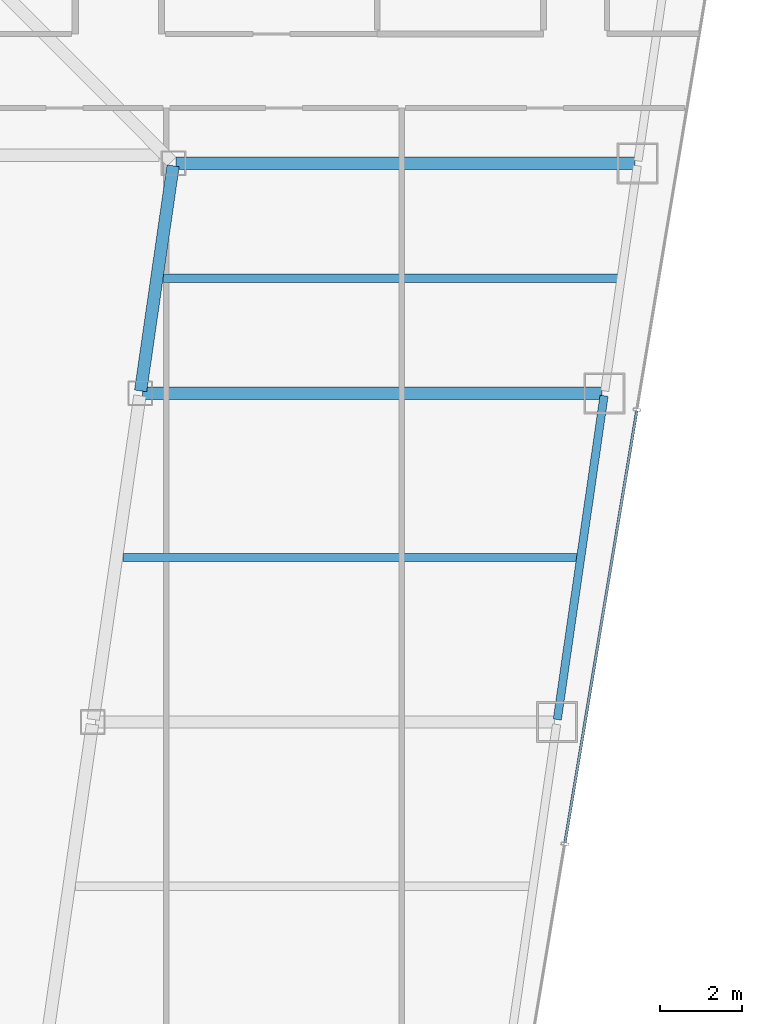
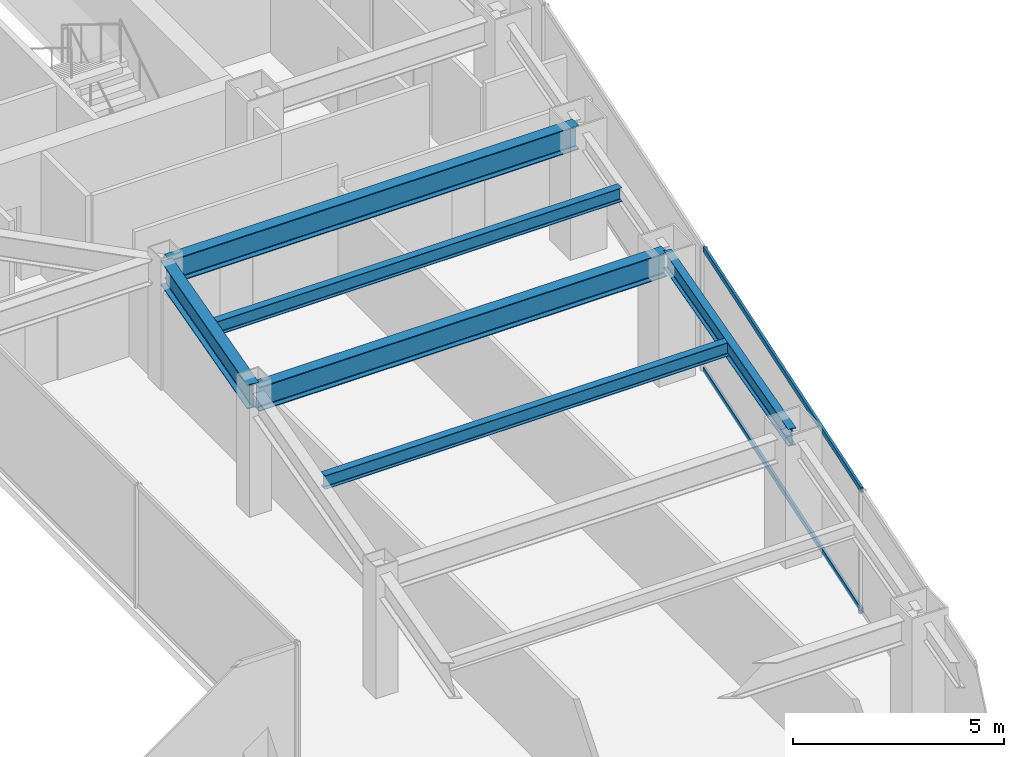
# One storey, part 18 of 38: 6 beams, 2 members, 1 element without a shape of its own.
"""IFC4 building model written with IfcOpenShell, lengths in metres."""

from ifc_helpers import new_model, si_unit, direction, frame, origin, origin_2d, place, context, subcontext, project, spatial, hollow_rectangle, i_section, extrude, material, material_profile, profile_set, type_object, element, aggregate, save


model = new_model("IFC4")

# Units and contexts
model_context = context("Model", 3, precision=1e-05, world=origin(), true_north=direction((0.0, 1.0)))
body_context = subcontext(model_context, "Body", "Model", "MODEL_VIEW")
ifc_project = project(units=[si_unit("LENGTHUNIT", "METRE"), si_unit("AREAUNIT", "SQUARE_METRE"), si_unit("VOLUMEUNIT", "CUBIC_METRE"), si_unit("PLANEANGLEUNIT", "RADIAN"), si_unit("MASSUNIT", "GRAM", prefix="KILO")], contexts=[model_context])

# Site, building, storey
site_placement = place(None, origin())
site = spatial("IfcSite", under=ifc_project, at=site_placement, CompositionType="ELEMENT")
building_placement = place(site_placement, origin())
building = spatial("IfcBuilding", under=site, at=building_placement, Name="Saevonmaru Cultural Tower", CompositionType="ELEMENT")
storey_placement = place(building_placement, frame((0.0, 0.0, 137.199951171875)))
storey = spatial("IfcBuildingStorey", under=building, at=storey_placement, Name="L29", CompositionType="ELEMENT", Elevation=137.199951171875)

# Beams
ifc_material_1 = material(Name="Steel SM355", Category="steel")
ifc_material_profile_1 = material_profile(ifc_material_1, i_section(OverallWidth=0.300048828125, OverallDepth=0.699951171875, WebThickness=0.012939453125, FlangeThickness=0.02392578125, FilletRadius=0.02587890625, at=origin_2d()), Name="H-700x300x13x24")
ifc_profile_set_1 = profile_set([ifc_material_profile_1], Name="Steel SM355")
beam_type_1 = type_object("IfcBeamType", Name="BM-G-H700", PredefinedType="BEAM", material=ifc_profile_set_1)
beam_1_placement = place(storey_placement, frame((40.3916015625, 32.059326171875, 3.199951171875), z_axis=(0.142964121327, 0.989727871697, 0.0), x_axis=(-0.989727871697, 0.142964121327, 0.0)))
element("IfcBeam", 1, at=beam_1_placement, inside=storey, type_object=beam_type_1, Name="L29 East Atrium Girder 4", PredefinedType="BEAM", context=body_context, shape_type="SweptSolid", body=[
    extrude(i_section(OverallWidth=0.300048828125, OverallDepth=0.699951171875, WebThickness=0.012939453125, FlangeThickness=0.02392578125, FilletRadius=0.02587890625, at=origin_2d()), origin(), (0.0, 0.0, 1.0), 5.5380859375),
])
for number, where, z_axis, x_axis, name in (
    (2, (40.443115234375, 32.0, 3.199951171875), (1.0, 0.0, 0.0), (0.0, 1.0, 0.0), "L29 East Wing Transverse Girder 4"),
    (3, (41.251953125, 37.60009765625, 3.199951171875), (1.0, 0.0, 0.0), (0.0, 1.0, 0.0), "L29 East Wing Transverse Girder 5"),
):
    element("IfcBeam", number, at=place(storey_placement, frame(where, z_axis=z_axis, x_axis=x_axis)), inside=storey, type_object=beam_type_1, Name=name, PredefinedType="BEAM", context=body_context, shape_type="SweptSolid", body=[
        extrude(i_section(OverallWidth=0.300048828125, OverallDepth=0.699951171875, WebThickness=0.012939453125, FlangeThickness=0.02392578125, FilletRadius=0.02587890625, at=origin_2d()), origin(), (0.0, 0.0, 1.0), 11.179931640625),
    ])
ifc_material_profile_2 = material_profile(ifc_material_1, i_section(OverallWidth=0.199951171875, OverallDepth=0.39990234375, WebThickness=0.008056640625, FlangeThickness=0.012939453125, FilletRadius=0.01611328125, at=origin_2d()), Name="H-400x200x8x13")
ifc_profile_set_2 = profile_set([ifc_material_profile_2], Name="Steel SM355")
beam_type_2 = type_object("IfcBeamType", Name="BM-J-H400", PredefinedType="JOIST", material=ifc_profile_set_2)
for number, where, z_axis, x_axis, name in (
    (4, (39.96337890625, 28.0, 3.35009765625), (1.0, 0.0, 0.0), (0.0, 1.0, 0.0), "L29 East Wing Floor Joist 3"),
    (5, (40.945556640625, 34.800048828125, 3.35009765625), (1.0, 0.0, 0.0), (0.0, 1.0, 0.0), "L29 East Wing Floor Joist 4"),
):
    element("IfcBeam", number, at=place(storey_placement, frame(where, z_axis=z_axis, x_axis=x_axis)), inside=storey, type_object=beam_type_2, Name=name, PredefinedType="JOIST", context=body_context, shape_type="SweptSolid", body=[
        extrude(i_section(OverallWidth=0.199951171875, OverallDepth=0.39990234375, WebThickness=0.008056640625, FlangeThickness=0.012939453125, FilletRadius=0.01611328125, at=origin_2d()), origin(), (0.0, 0.0, 1.0), 11.08203125),
    ])
ifc_material_profile_3 = material_profile(ifc_material_1, i_section(OverallWidth=0.199951171875, OverallDepth=0.5, WebThickness=0.010009765625, FlangeThickness=0.01611328125, FilletRadius=0.02001953125, at=origin_2d()), Name="H-500x200x10x16")
ifc_profile_set_3 = profile_set([ifc_material_profile_3], Name="Steel SM355")
beam_type_3 = type_object("IfcBeamType", Name="BM-SP-H500", PredefinedType="SPANDREL", material=ifc_profile_set_3)
beam_2_placement = place(storey_placement, frame((50.53662109375, 24.059326171875, 3.300048828125), z_axis=(0.142871999001, 0.989741174197, 0.0), x_axis=(-0.989741174197, 0.142871999001, 0.0)))
element("IfcBeam", 6, at=beam_2_placement, inside=storey, type_object=beam_type_3, Name="L29 East Splayed Spandrel 3", PredefinedType="SPANDREL", context=body_context, shape_type="SweptSolid", body=[
    extrude(i_section(OverallWidth=0.199951171875, OverallDepth=0.5, WebThickness=0.010009765625, FlangeThickness=0.01611328125, FilletRadius=0.02001953125, at=origin_2d()), origin(), (0.0, 0.0, 1.0), 7.963134765625),
])

# Curtain wall, members
ifc_material_2 = material(Name="Satin Bronze Anodised Aluminium", Category="aluminium")
curtain_wall_type = type_object("IfcCurtainWallType", Name="CW-TYP-A", PredefinedType="NOTDEFINED", material=ifc_material_2)
curtain_wall_placement = place(storey_placement, origin())
curtain_wall = element("IfcCurtainWall", 7, at=curtain_wall_placement, inside=storey, type_object=curtain_wall_type, Name="L29 Unitised Curtain Wall E8", PredefinedType="NOTDEFINED")
ifc_material_profile_4 = material_profile(ifc_material_2, hollow_rectangle(XDim=0.06494140625, YDim=0.14990234375, WallThickness=0.00390625, at=origin_2d()), Name="ALU-TRAN-150x65x4")
ifc_profile_set_4 = profile_set([ifc_material_profile_4], Name="Satin Bronze Anodised Aluminium")
member_type = type_object("IfcMemberType", Name="TR-CW-150x65", PredefinedType="USERDEFINED", material=ifc_profile_set_4)
member_1_placement = place(storey_placement, frame((50.7236328125, 21.061767578125, 0.032470703125), z_axis=(0.163993787386, 0.98646137162, 0.0), x_axis=(-0.98646137162, 0.163993787386, 0.0)))
member_1 = element("IfcMember", 8, at=member_1_placement, type_object=member_type, Name="CW-TW-L29-E8 transom 2.1", ObjectType="TRANSOM", PredefinedType="USERDEFINED", context=body_context, shape_type="SweptSolid", body=[
    extrude(hollow_rectangle(XDim=0.06494140625, YDim=0.14990234375, WallThickness=0.00390625, at=origin_2d()), origin(), (0.0, 0.0, 1.0), 10.650390625),
])
member_2_placement = place(storey_placement, frame((50.7236328125, 21.061767578125, 3.517578125), z_axis=(0.163993787386, 0.98646137162, 0.0), x_axis=(-0.98646137162, 0.163993787386, 0.0)))
member_2 = element("IfcMember", 9, at=member_2_placement, type_object=member_type, Name="CW-TW-L29-E8 transom 2.2", ObjectType="TRANSOM", PredefinedType="USERDEFINED", context=body_context, shape_type="SweptSolid", body=[
    extrude(hollow_rectangle(XDim=0.06494140625, YDim=0.14990234375, WallThickness=0.00390625, at=origin_2d()), origin(), (0.0, 0.0, 1.0), 10.650390625),
])
aggregate(curtain_wall, [member_1, member_2])

save(model, "model.ifc")
